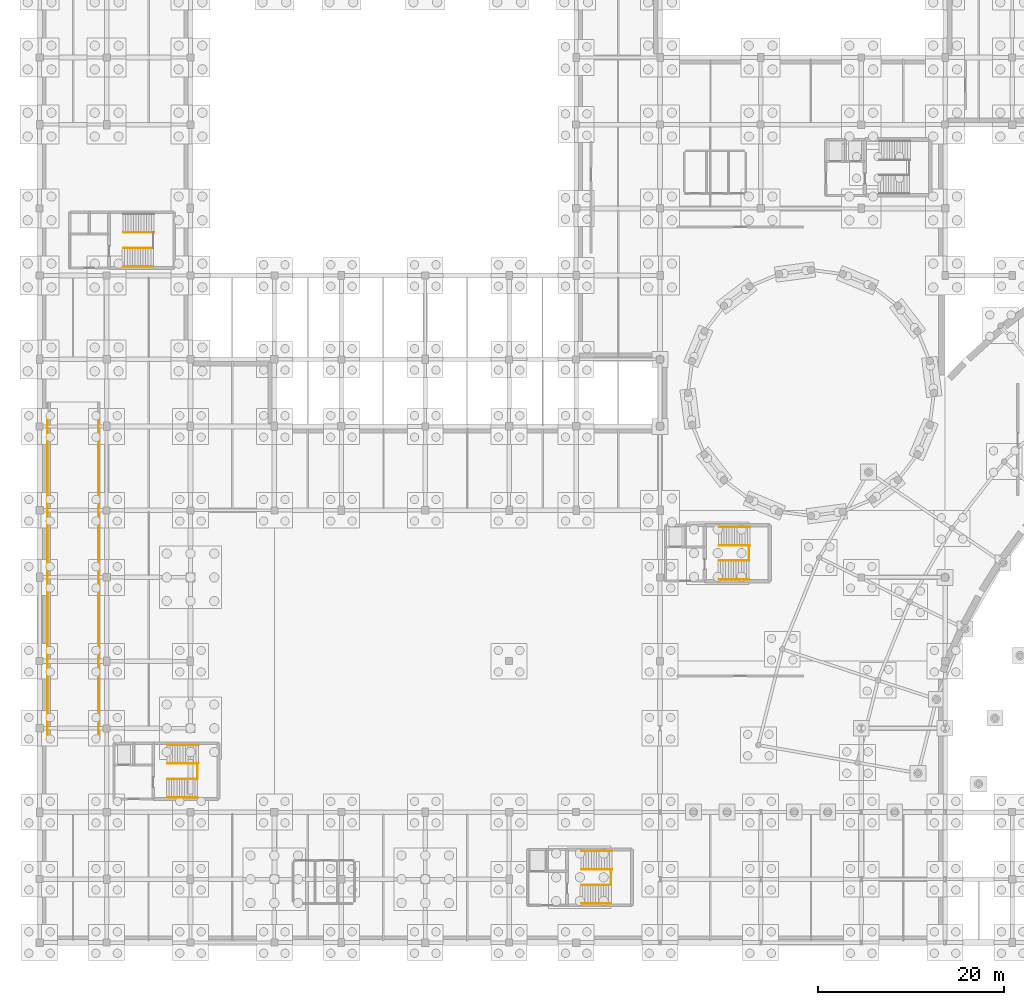
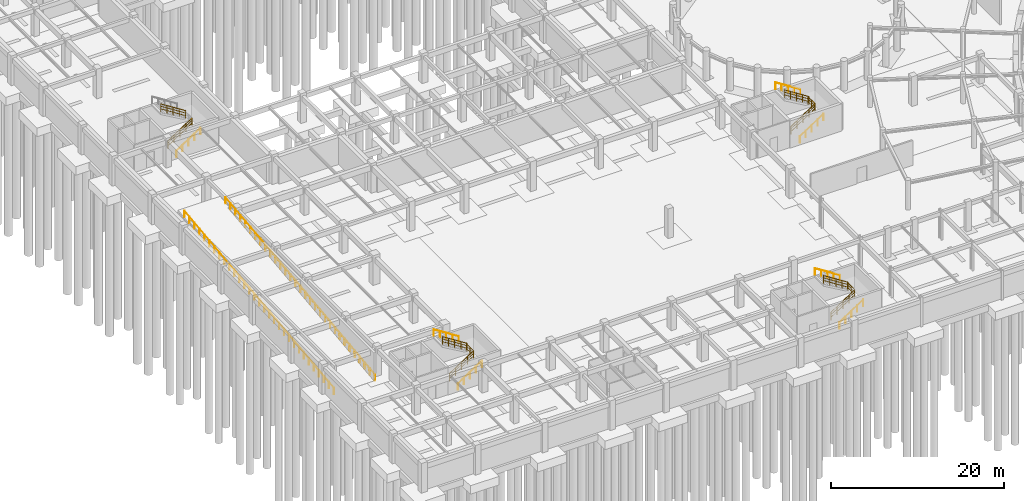
# One storey, part 39 of 42: 20 railings.
"""IFC4 building model written with IfcOpenShell, lengths in metres."""

import ifcopenshell
import ifcopenshell.guid

model = None  # the IFC model being written
_history = None  # IfcOwnerHistory: only IFC2X3 demands one
_inside = {}  # id of a spatial element -> (the spatial element, [elements in it])
_under = {}  # id of a project, library or spatial element -> (it, [spatial elements below it])
_declared = {}  # id of a project -> (the project, [libraries it declares])
_typed = {}  # id of a type object -> (the type object, [elements of that type])
_made_of = {}  # id of a material, layer set ... -> (it, [elements and type objects made of it])


def new_model(schema):
    """Start an empty IFC model of exactly this schema.

    Asked for "IFC4X3", IfcOpenShell would pick the latest addendum, in which some entities
    have other attributes; the version numbers below select the first issue.
    IFC2X3 requires an IfcOwnerHistory on every rooted entity: one is made here for all.
    """
    global model, _history
    if schema == "IFC4X3":
        model = ifcopenshell.file(schema_version=(4, 3, 0, 0))
    else:
        model = ifcopenshell.file(schema=schema)
    _inside.clear()
    _under.clear()
    _declared.clear()
    _typed.clear()
    _made_of.clear()
    _history = None
    if model.schema == "IFC2X3":
        org = make("IfcOrganization", Name="unknown")
        user = make(
            "IfcPersonAndOrganization",
            ThePerson=make("IfcPerson", FamilyName="unknown"),
            TheOrganization=org,
        )
        app = make(
            "IfcApplication",
            ApplicationDeveloper=org,
            Version="unknown",
            ApplicationFullName="unknown",
            ApplicationIdentifier="unknown",
        )
        _history = make(
            "IfcOwnerHistory",
            OwningUser=user,
            OwningApplication=app,
            ChangeAction="ADDED",
            CreationDate=0,
        )
    return model


def make(cls, **values):
    """One entity of the class cls with the attributes given. An attribute that is None is left unset."""
    return model.create_entity(
        cls, **{name: value for name, value in values.items() if value is not None}
    )


def rooted(cls, **values):
    """An entity with a GlobalId (a new one), such as an element, a storey or a relation."""
    return make(cls, GlobalId=ifcopenshell.guid.new(), OwnerHistory=_history, **values)


def si_unit(unit_type, name, prefix=None):
    """IfcSIUnit, for example si_unit("LENGTHUNIT", "METRE", prefix="MILLI")."""
    return make("IfcSIUnit", UnitType=unit_type, Prefix=prefix, Name=name)


def assignment(units):
    """IfcUnitAssignment: the units of a project."""
    return None if units is None else make("IfcUnitAssignment", Units=units)


def point(xyz):
    """IfcCartesianPoint."""
    return None if xyz is None else make("IfcCartesianPoint", Coordinates=xyz)


def direction(xyz):
    """IfcDirection."""
    return None if xyz is None else make("IfcDirection", DirectionRatios=xyz)


def frame(location, z_axis=None, x_axis=None):
    """IfcAxis2Placement3D, a coordinate frame: its origin and axes. An axis left out is left unset."""
    return make(
        "IfcAxis2Placement3D",
        Location=point(location),
        Axis=direction(z_axis),
        RefDirection=direction(x_axis),
    )


def frame_2d(location, x_axis=None):
    """IfcAxis2Placement2D, a coordinate frame in the plane: its origin and x axis."""
    return make(
        "IfcAxis2Placement2D", Location=point(location), RefDirection=direction(x_axis)
    )


def origin():
    """The frame at (0, 0, 0) with its axes left unset."""
    return frame((0.0, 0.0, 0.0))


def origin_2d():
    """The frame at (0, 0) in the plane with its x axis left unset."""
    return frame_2d((0.0, 0.0))


def place(relative_to, where):
    """IfcLocalPlacement: puts the frame where relative to a parent placement (None: the world)."""
    return make(
        "IfcLocalPlacement", PlacementRelTo=relative_to, RelativePlacement=where
    )


def context(
    kind, dimensions, precision=None, world=None, true_north=None, identifier=None
):
    """IfcGeometricRepresentationContext, for example the 3D "Model" context."""
    return make(
        "IfcGeometricRepresentationContext",
        ContextIdentifier=identifier,
        ContextType=kind,
        CoordinateSpaceDimension=dimensions,
        Precision=precision,
        WorldCoordinateSystem=world,
        TrueNorth=true_north,
    )


def subcontext(parent, identifier, kind, view, scale=None):
    """IfcGeometricRepresentationSubContext, for example "Body" below "Model"."""
    return make(
        "IfcGeometricRepresentationSubContext",
        ContextIdentifier=identifier,
        ContextType=kind,
        ParentContext=parent,
        TargetScale=scale,
        TargetView=view,
    )


def project(units=None, contexts=None):
    """IfcProject with its units and contexts."""
    return rooted(
        "IfcProject",
        Name="project",
        RepresentationContexts=contexts,
        UnitsInContext=assignment(units),
    )


def spatial(cls, under=None, at=None, **own):
    """A site, building, storey or space (cls), placed at a placement, below another one or the project."""
    s = rooted(cls, ObjectPlacement=at, **own)
    if under is not None:
        _under.setdefault(under.id(), (under, []))[1].append(s)
    return s


def profile(cls, at=None, kind="AREA", **sizes):
    """A parametric profile (cls). Its sizes go by their IFC names, for example OverallWidth=200.0."""
    return make(cls, ProfileType=kind, Position=at, **sizes)


def circle(**sizes):
    """IfcCircleProfileDef."""
    return profile("IfcCircleProfileDef", **sizes)


def extrude(swept, where, along, depth):
    """IfcExtrudedAreaSolid: the profile swept, set in the frame where, extruded along a direction by depth."""
    return make(
        "IfcExtrudedAreaSolid",
        SweptArea=swept,
        Position=where,
        ExtrudedDirection=direction(along),
        Depth=depth,
    )


def shape(context_of_items, identifier, shape_type, items):
    """IfcShapeRepresentation: the items that make up one representation, for example the "Body"."""
    return make(
        "IfcShapeRepresentation",
        ContextOfItems=context_of_items,
        RepresentationIdentifier=identifier,
        RepresentationType=shape_type,
        Items=items,
    )


def material(Name=None, Category=None):
    """IfcMaterial."""
    return make("IfcMaterial", Name=Name, Category=Category)


def made_of(thing, what):
    """Note that an element or type object is made of a material, layer set ...; save() writes the relation."""
    if what is not None:
        _made_of.setdefault(what.id(), (what, []))[1].append(thing)
    return thing


def type_object(cls, material=None, **own):
    """A type object (cls), such as IfcWallType, which elements share."""
    return made_of(rooted(cls, **own), material)


def element(
    cls,
    number,
    at=None,
    inside=None,
    cuts=None,
    type_object=None,
    material=None,
    context=None,
    identifier="Body",
    shape_type=None,
    held_by="IfcProductDefinitionShape",
    body=None,
    shapes=None,
    **own,
):
    """One element of the class cls, such as IfcWall. Its Tag is "e" and its number.

    at: its placement. inside: the storey or other place that contains it. cuts: it is an
    opening in that element (IfcRelVoidsElement). A single representation is given by context,
    identifier, shape_type and body (its items); several are given by shapes. held_by: the class
    of the entity that holds the representations. save() writes the other relations.
    """
    e = rooted(cls, Tag="e%d" % number, ObjectPlacement=at, **own)
    if body is not None:
        shapes = [shape(context, identifier, shape_type, body)]
    if shapes is not None:
        e.Representation = make(held_by, Representations=shapes)
    if inside is not None:
        _inside.setdefault(inside.id(), (inside, []))[1].append(e)
    if cuts is not None:
        rooted(
            "IfcRelVoidsElement", RelatingBuildingElement=cuts, RelatedOpeningElement=e
        )
    if type_object is not None:
        _typed.setdefault(type_object.id(), (type_object, []))[1].append(e)
    return made_of(e, material)


def aggregate(whole, parts):
    """IfcRelAggregates: a whole, such as a stair, and the parts it consists of."""
    return rooted("IfcRelAggregates", RelatingObject=whole, RelatedObjects=parts)


def save(model, path):
    """Write the relations noted so far, then the file.

    IfcRelAggregates (storeys below a building ...), IfcRelContainedInSpatialStructure (elements
    in a storey), IfcRelDefinesByType, IfcRelAssociatesMaterial and IfcRelDeclares: one each for
    every whole, place, type object, material and project.
    """
    for whole, parts in _under.values():
        aggregate(whole, parts)
    for where, things in _inside.values():
        rooted(
            "IfcRelContainedInSpatialStructure",
            RelatedElements=things,
            RelatingStructure=where,
        )
    for kind, things in _typed.values():
        rooted("IfcRelDefinesByType", RelatedObjects=things, RelatingType=kind)
    for what, things in _made_of.values():
        rooted("IfcRelAssociatesMaterial", RelatedObjects=things, RelatingMaterial=what)
    for by, libraries in _declared.values():
        rooted("IfcRelDeclares", RelatingContext=by, RelatedDefinitions=libraries)
    model.write(path)


model = new_model("IFC4")

# Units and contexts
model_context = context("Model", 3, precision=1e-05, world=origin(), true_north=direction((0.0, 1.0)))
body_context = subcontext(model_context, "Body", "Model", "MODEL_VIEW")
ifc_project = project(units=[si_unit("LENGTHUNIT", "METRE"), si_unit("AREAUNIT", "SQUARE_METRE"), si_unit("VOLUMEUNIT", "CUBIC_METRE"), si_unit("PLANEANGLEUNIT", "RADIAN"), si_unit("MASSUNIT", "GRAM", prefix="KILO")], contexts=[model_context])

# Site, building, storey
site_placement = place(None, origin())
site = spatial("IfcSite", under=ifc_project, at=site_placement, CompositionType="ELEMENT")
building_placement = place(site_placement, origin())
building = spatial("IfcBuilding", under=site, at=building_placement, Name="Clarverna Civic Hall", CompositionType="ELEMENT")
storey_placement = place(building_placement, frame((0.0, 0.0, -4.199951171875)))
storey = spatial("IfcBuildingStorey", under=building, at=storey_placement, Name="B01", CompositionType="ELEMENT", Elevation=-4.199951171875)

# Railings
ifc_material_1 = material(Name="Anodised Bronze Architectural Balustrade")
railing_type_1 = type_object("IfcRailingType", Name="GR-02", PredefinedType="BALUSTRADE", material=ifc_material_1)
railing_1_placement = place(storey_placement, frame((72.949951171875, 41.0, 0.0)))
element("IfcRailing", 1, at=railing_1_placement, inside=storey, type_object=railing_type_1, Name="GR-02-088", PredefinedType="BALUSTRADE", context=body_context, shape_type="SweptSolid", body=[
    extrude(circle(Radius=0.02392578125, at=origin_2d()), frame((0.0, 0.0, 1.09619140625), z_axis=(0.836464151043, 0.0, 0.548021645576), x_axis=(0.0, 1.0, 0.0)), (0.0, 0.0, 1.0), 3.831787109375),
    extrude(circle(Radius=0.011962890625, at=origin_2d()), frame((0.0, 0.0, 0.39208984375), z_axis=(0.836464151043, 0.0, 0.548021645576), x_axis=(0.0, 1.0, 0.0)), (0.0, 0.0, 1.0), 3.831787109375),
    extrude(circle(Radius=0.011962890625, at=origin_2d()), frame((0.0, 0.0, 0.76171875), z_axis=(0.836464151043, 0.0, 0.548021645576), x_axis=(0.0, 1.0, 0.0)), (0.0, 0.0, 1.0), 3.831787109375),
    extrude(circle(Radius=0.02099609375, at=origin_2d()), origin(), (0.0, 0.0, 1.0), 1.072021484375),
    extrude(circle(Radius=0.02099609375, at=origin_2d()), frame((0.80126953125, 0.0, 0.52490234375)), (0.0, 0.0, 1.0), 1.072021484375),
    extrude(circle(Radius=0.02099609375, at=origin_2d()), frame((1.6025390625, 0.0, 1.0498046875)), (0.0, 0.0, 1.0), 1.072021484375),
    extrude(circle(Radius=0.02099609375, at=origin_2d()), frame((2.40380859375, 0.0, 1.574951171875)), (0.0, 0.0, 1.0), 1.072021484375),
    extrude(circle(Radius=0.02099609375, at=origin_2d()), frame((3.205078125, 0.0, 2.099853515625)), (0.0, 0.0, 1.0), 1.072021484375),
])
railing_2_placement = place(storey_placement, frame((76.155029296875, 41.0, 2.099853515625)))
element("IfcRailing", 2, at=railing_2_placement, inside=storey, type_object=railing_type_1, Name="GR-02-089", PredefinedType="BALUSTRADE", context=body_context, shape_type="SweptSolid", body=[
    extrude(circle(Radius=0.02392578125, at=origin_2d()), frame((0.0, 0.0, 1.09619140625), z_axis=(0.0, 1.0, 0.0), x_axis=(-1.0, 0.0, 0.0)), (0.0, 0.0, 1.0), 1.60009765625),
    extrude(circle(Radius=0.011962890625, at=origin_2d()), frame((0.0, 0.0, 0.39208984375), z_axis=(0.0, 1.0, 0.0), x_axis=(-1.0, 0.0, 0.0)), (0.0, 0.0, 1.0), 1.60009765625),
    extrude(circle(Radius=0.011962890625, at=origin_2d()), frame((0.0, 0.0, 0.76171875), z_axis=(0.0, 1.0, 0.0), x_axis=(-1.0, 0.0, 0.0)), (0.0, 0.0, 1.0), 1.60009765625),
    extrude(circle(Radius=0.02099609375, at=origin_2d()), origin(), (0.0, 0.0, 1.0), 1.072021484375),
    extrude(circle(Radius=0.02099609375, at=origin_2d()), frame((0.0, 0.800048828125, 0.0)), (0.0, 0.0, 1.0), 1.072021484375),
    extrude(circle(Radius=0.02099609375, at=origin_2d()), frame((0.0, 1.60009765625, 0.0)), (0.0, 0.0, 1.0), 1.072021484375),
])
railing_3_placement = place(storey_placement, frame((76.2451171875, 42.60009765625, 2.099853515625)))
element("IfcRailing", 3, at=railing_3_placement, inside=storey, type_object=railing_type_1, Name="GR-02-090", PredefinedType="BALUSTRADE", context=body_context, shape_type="SweptSolid", body=[
    extrude(circle(Radius=0.02392578125, at=origin_2d()), frame((0.0, 0.0, 1.09619140625), z_axis=(-0.843293392346, 0.0, 0.537453490477), x_axis=(0.0, -1.0, 0.0)), (0.0, 0.0, 1.0), 3.907470703125),
    extrude(circle(Radius=0.011962890625, at=origin_2d()), frame((0.0, 0.0, 0.39208984375), z_axis=(-0.843293392346, 0.0, 0.537453490477), x_axis=(0.0, -1.0, 0.0)), (0.0, 0.0, 1.0), 3.907470703125),
    extrude(circle(Radius=0.011962890625, at=origin_2d()), frame((0.0, 0.0, 0.76171875), z_axis=(-0.843293392346, 0.0, 0.537453490477), x_axis=(0.0, -1.0, 0.0)), (0.0, 0.0, 1.0), 3.907470703125),
    extrude(circle(Radius=0.02099609375, at=origin_2d()), origin(), (0.0, 0.0, 1.0), 1.072021484375),
    extrude(circle(Radius=0.02099609375, at=origin_2d()), frame((-0.82373046875, 0.0, 0.52490234375)), (0.0, 0.0, 1.0), 1.072021484375),
    extrude(circle(Radius=0.02099609375, at=origin_2d()), frame((-1.6474609375, 0.0, 1.050048828125)), (0.0, 0.0, 1.0), 1.072021484375),
    extrude(circle(Radius=0.02099609375, at=origin_2d()), frame((-2.471435546875, 0.0, 1.5751953125)), (0.0, 0.0, 1.0), 1.072021484375),
    extrude(circle(Radius=0.02099609375, at=origin_2d()), frame((-3.295166015625, 0.0, 2.10009765625)), (0.0, 0.0, 1.0), 1.072021484375),
])
railing_4_placement = place(storey_placement, frame((58.14990234375, 6.159912109375, 0.0)))
element("IfcRailing", 4, at=railing_4_placement, inside=storey, type_object=railing_type_1, Name="GR-02-120", PredefinedType="BALUSTRADE", context=body_context, shape_type="SweptSolid", body=[
    extrude(circle(Radius=0.02392578125, at=origin_2d()), frame((0.0, 0.0, 1.09619140625), z_axis=(0.836464151043, 0.0, 0.548021645576), x_axis=(0.0, 1.0, 0.0)), (0.0, 0.0, 1.0), 3.831787109375),
    extrude(circle(Radius=0.011962890625, at=origin_2d()), frame((0.0, 0.0, 0.39208984375), z_axis=(0.836464151043, 0.0, 0.548021645576), x_axis=(0.0, 1.0, 0.0)), (0.0, 0.0, 1.0), 3.831787109375),
    extrude(circle(Radius=0.011962890625, at=origin_2d()), frame((0.0, 0.0, 0.76171875), z_axis=(0.836464151043, 0.0, 0.548021645576), x_axis=(0.0, 1.0, 0.0)), (0.0, 0.0, 1.0), 3.831787109375),
    extrude(circle(Radius=0.02099609375, at=origin_2d()), origin(), (0.0, 0.0, 1.0), 1.072021484375),
    extrude(circle(Radius=0.02099609375, at=origin_2d()), frame((0.80126953125, 0.0, 0.52490234375)), (0.0, 0.0, 1.0), 1.072021484375),
    extrude(circle(Radius=0.02099609375, at=origin_2d()), frame((1.6025390625, 0.0, 1.0498046875)), (0.0, 0.0, 1.0), 1.072021484375),
    extrude(circle(Radius=0.02099609375, at=origin_2d()), frame((2.40380859375, 0.0, 1.574951171875)), (0.0, 0.0, 1.0), 1.072021484375),
    extrude(circle(Radius=0.02099609375, at=origin_2d()), frame((3.205078125, 0.0, 2.099853515625)), (0.0, 0.0, 1.0), 1.072021484375),
])
railing_5_placement = place(storey_placement, frame((61.35498046875, 6.159912109375, 2.099853515625)))
element("IfcRailing", 5, at=railing_5_placement, inside=storey, type_object=railing_type_1, Name="GR-02-121", PredefinedType="BALUSTRADE", context=body_context, shape_type="SweptSolid", body=[
    extrude(circle(Radius=0.02392578125, at=origin_2d()), frame((0.0, 0.0, 1.09619140625), z_axis=(0.0, 1.0, 0.0), x_axis=(-1.0, 0.0, 0.0)), (0.0, 0.0, 1.0), 1.68017578125),
    extrude(circle(Radius=0.011962890625, at=origin_2d()), frame((0.0, 0.0, 0.39208984375), z_axis=(0.0, 1.0, 0.0), x_axis=(-1.0, 0.0, 0.0)), (0.0, 0.0, 1.0), 1.68017578125),
    extrude(circle(Radius=0.011962890625, at=origin_2d()), frame((0.0, 0.0, 0.76171875), z_axis=(0.0, 1.0, 0.0), x_axis=(-1.0, 0.0, 0.0)), (0.0, 0.0, 1.0), 1.68017578125),
    extrude(circle(Radius=0.02099609375, at=origin_2d()), origin(), (0.0, 0.0, 1.0), 1.072021484375),
    extrude(circle(Radius=0.02099609375, at=origin_2d()), frame((0.0, 0.840087890625, 0.0)), (0.0, 0.0, 1.0), 1.072021484375),
    extrude(circle(Radius=0.02099609375, at=origin_2d()), frame((0.0, 1.68017578125, 0.0)), (0.0, 0.0, 1.0), 1.072021484375),
])
railing_6_placement = place(storey_placement, frame((61.445068359375, 7.840087890625, 2.099853515625)))
element("IfcRailing", 6, at=railing_6_placement, inside=storey, type_object=railing_type_1, Name="GR-02-122", PredefinedType="BALUSTRADE", context=body_context, shape_type="SweptSolid", body=[
    extrude(circle(Radius=0.02392578125, at=origin_2d()), frame((0.0, 0.0, 1.09619140625), z_axis=(-0.843293392346, 0.0, 0.537453490477), x_axis=(0.0, -1.0, 0.0)), (0.0, 0.0, 1.0), 3.907470703125),
    extrude(circle(Radius=0.011962890625, at=origin_2d()), frame((0.0, 0.0, 0.39208984375), z_axis=(-0.843293392346, 0.0, 0.537453490477), x_axis=(0.0, -1.0, 0.0)), (0.0, 0.0, 1.0), 3.907470703125),
    extrude(circle(Radius=0.011962890625, at=origin_2d()), frame((0.0, 0.0, 0.76171875), z_axis=(-0.843293392346, 0.0, 0.537453490477), x_axis=(0.0, -1.0, 0.0)), (0.0, 0.0, 1.0), 3.907470703125),
    extrude(circle(Radius=0.02099609375, at=origin_2d()), origin(), (0.0, 0.0, 1.0), 1.072021484375),
    extrude(circle(Radius=0.02099609375, at=origin_2d()), frame((-0.82373046875, 0.0, 0.52490234375)), (0.0, 0.0, 1.0), 1.072021484375),
    extrude(circle(Radius=0.02099609375, at=origin_2d()), frame((-1.6474609375, 0.0, 1.050048828125)), (0.0, 0.0, 1.0), 1.072021484375),
    extrude(circle(Radius=0.02099609375, at=origin_2d()), frame((-2.471435546875, 0.0, 1.5751953125)), (0.0, 0.0, 1.0), 1.072021484375),
    extrude(circle(Radius=0.02099609375, at=origin_2d()), frame((-3.295166015625, 0.0, 2.10009765625)), (0.0, 0.0, 1.0), 1.072021484375),
])
railing_7_placement = place(storey_placement, frame((13.75, 17.56005859375, 0.0)))
element("IfcRailing", 7, at=railing_7_placement, inside=storey, type_object=railing_type_1, Name="GR-02-136", PredefinedType="BALUSTRADE", context=body_context, shape_type="SweptSolid", body=[
    extrude(circle(Radius=0.02392578125, at=origin_2d()), frame((0.0, 0.0, 1.09619140625), z_axis=(0.836464151043, 0.0, 0.548021645576), x_axis=(0.0, 1.0, 0.0)), (0.0, 0.0, 1.0), 3.831787109375),
    extrude(circle(Radius=0.011962890625, at=origin_2d()), frame((0.0, 0.0, 0.39208984375), z_axis=(0.836464151043, 0.0, 0.548021645576), x_axis=(0.0, 1.0, 0.0)), (0.0, 0.0, 1.0), 3.831787109375),
    extrude(circle(Radius=0.011962890625, at=origin_2d()), frame((0.0, 0.0, 0.76171875), z_axis=(0.836464151043, 0.0, 0.548021645576), x_axis=(0.0, 1.0, 0.0)), (0.0, 0.0, 1.0), 3.831787109375),
    extrude(circle(Radius=0.02099609375, at=origin_2d()), origin(), (0.0, 0.0, 1.0), 1.072021484375),
    extrude(circle(Radius=0.02099609375, at=origin_2d()), frame((0.80126953125, 0.0, 0.52490234375)), (0.0, 0.0, 1.0), 1.072021484375),
    extrude(circle(Radius=0.02099609375, at=origin_2d()), frame((1.6025390625, 0.0, 1.0498046875)), (0.0, 0.0, 1.0), 1.072021484375),
    extrude(circle(Radius=0.02099609375, at=origin_2d()), frame((2.40380859375, 0.0, 1.574951171875)), (0.0, 0.0, 1.0), 1.072021484375),
    extrude(circle(Radius=0.02099609375, at=origin_2d()), frame((3.205078125, 0.0, 2.099853515625)), (0.0, 0.0, 1.0), 1.072021484375),
])
railing_8_placement = place(storey_placement, frame((16.955078125, 17.56005859375, 2.099853515625)))
element("IfcRailing", 8, at=railing_8_placement, inside=storey, type_object=railing_type_1, Name="GR-02-137", PredefinedType="BALUSTRADE", context=body_context, shape_type="SweptSolid", body=[
    extrude(circle(Radius=0.02392578125, at=origin_2d()), frame((0.0, 0.0, 1.09619140625), z_axis=(0.0, 1.0, 0.0), x_axis=(-1.0, 0.0, 0.0)), (0.0, 0.0, 1.0), 1.679931640625),
    extrude(circle(Radius=0.011962890625, at=origin_2d()), frame((0.0, 0.0, 0.39208984375), z_axis=(0.0, 1.0, 0.0), x_axis=(-1.0, 0.0, 0.0)), (0.0, 0.0, 1.0), 1.679931640625),
    extrude(circle(Radius=0.011962890625, at=origin_2d()), frame((0.0, 0.0, 0.76171875), z_axis=(0.0, 1.0, 0.0), x_axis=(-1.0, 0.0, 0.0)), (0.0, 0.0, 1.0), 1.679931640625),
    extrude(circle(Radius=0.02099609375, at=origin_2d()), origin(), (0.0, 0.0, 1.0), 1.072021484375),
    extrude(circle(Radius=0.02099609375, at=origin_2d()), frame((0.0, 0.83984375, 0.0)), (0.0, 0.0, 1.0), 1.072021484375),
    extrude(circle(Radius=0.02099609375, at=origin_2d()), frame((0.0, 1.679931640625, 0.0)), (0.0, 0.0, 1.0), 1.072021484375),
])
railing_9_placement = place(storey_placement, frame((17.044921875, 19.239990234375, 2.099853515625)))
element("IfcRailing", 9, at=railing_9_placement, inside=storey, type_object=railing_type_1, Name="GR-02-138", PredefinedType="BALUSTRADE", context=body_context, shape_type="SweptSolid", body=[
    extrude(circle(Radius=0.02392578125, at=origin_2d()), frame((0.0, 0.0, 1.09619140625), z_axis=(-0.843275343163, 0.0, 0.537481809565), x_axis=(0.0, -1.0, 0.0)), (0.0, 0.0, 1.0), 3.9072265625),
    extrude(circle(Radius=0.011962890625, at=origin_2d()), frame((0.0, 0.0, 0.39208984375), z_axis=(-0.843275343163, 0.0, 0.537481809565), x_axis=(0.0, -1.0, 0.0)), (0.0, 0.0, 1.0), 3.9072265625),
    extrude(circle(Radius=0.011962890625, at=origin_2d()), frame((0.0, 0.0, 0.76171875), z_axis=(-0.843275343163, 0.0, 0.537481809565), x_axis=(0.0, -1.0, 0.0)), (0.0, 0.0, 1.0), 3.9072265625),
    extrude(circle(Radius=0.02099609375, at=origin_2d()), origin(), (0.0, 0.0, 1.0), 1.072021484375),
    extrude(circle(Radius=0.02099609375, at=origin_2d()), frame((-0.82373046875, 0.0, 0.52490234375)), (0.0, 0.0, 1.0), 1.072021484375),
    extrude(circle(Radius=0.02099609375, at=origin_2d()), frame((-1.6474609375, 0.0, 1.050048828125)), (0.0, 0.0, 1.0), 1.072021484375),
    extrude(circle(Radius=0.02099609375, at=origin_2d()), frame((-2.47119140625, 0.0, 1.5751953125)), (0.0, 0.0, 1.0), 1.072021484375),
    extrude(circle(Radius=0.02099609375, at=origin_2d()), frame((-3.294921875, 0.0, 2.10009765625)), (0.0, 0.0, 1.0), 1.072021484375),
])
railing_10_placement = place(storey_placement, frame((9.0, 74.56005859375, 0.0)))
element("IfcRailing", 10, at=railing_10_placement, inside=storey, type_object=railing_type_1, Name="GR-02-196", PredefinedType="BALUSTRADE", context=body_context, shape_type="SweptSolid", body=[
    extrude(circle(Radius=0.02392578125, at=origin_2d()), frame((0.0, 0.0, 1.09619140625), z_axis=(0.836464151043, 0.0, 0.548021645576), x_axis=(0.0, 1.0, 0.0)), (0.0, 0.0, 1.0), 3.831787109375),
    extrude(circle(Radius=0.011962890625, at=origin_2d()), frame((0.0, 0.0, 0.39208984375), z_axis=(0.836464151043, 0.0, 0.548021645576), x_axis=(0.0, 1.0, 0.0)), (0.0, 0.0, 1.0), 3.831787109375),
    extrude(circle(Radius=0.011962890625, at=origin_2d()), frame((0.0, 0.0, 0.76171875), z_axis=(0.836464151043, 0.0, 0.548021645576), x_axis=(0.0, 1.0, 0.0)), (0.0, 0.0, 1.0), 3.831787109375),
    extrude(circle(Radius=0.02099609375, at=origin_2d()), origin(), (0.0, 0.0, 1.0), 1.072021484375),
    extrude(circle(Radius=0.02099609375, at=origin_2d()), frame((0.80126953125, 0.0, 0.52490234375)), (0.0, 0.0, 1.0), 1.072021484375),
    extrude(circle(Radius=0.02099609375, at=origin_2d()), frame((1.6025390625, 0.0, 1.0498046875)), (0.0, 0.0, 1.0), 1.072021484375),
    extrude(circle(Radius=0.02099609375, at=origin_2d()), frame((2.40380859375, 0.0, 1.574951171875)), (0.0, 0.0, 1.0), 1.072021484375),
    extrude(circle(Radius=0.02099609375, at=origin_2d()), frame((3.205078125, 0.0, 2.099853515625)), (0.0, 0.0, 1.0), 1.072021484375),
])
railing_11_placement = place(storey_placement, frame((12.294921875, 76.239990234375, 2.099853515625)))
element("IfcRailing", 11, at=railing_11_placement, inside=storey, type_object=railing_type_1, Name="GR-02-198", PredefinedType="BALUSTRADE", context=body_context, shape_type="SweptSolid", body=[
    extrude(circle(Radius=0.02392578125, at=origin_2d()), frame((0.0, 0.0, 1.09619140625), z_axis=(-0.843275343163, 0.0, 0.537481809565), x_axis=(0.0, -1.0, 0.0)), (0.0, 0.0, 1.0), 3.9072265625),
    extrude(circle(Radius=0.011962890625, at=origin_2d()), frame((0.0, 0.0, 0.39208984375), z_axis=(-0.843275343163, 0.0, 0.537481809565), x_axis=(0.0, -1.0, 0.0)), (0.0, 0.0, 1.0), 3.9072265625),
    extrude(circle(Radius=0.011962890625, at=origin_2d()), frame((0.0, 0.0, 0.76171875), z_axis=(-0.843275343163, 0.0, 0.537481809565), x_axis=(0.0, -1.0, 0.0)), (0.0, 0.0, 1.0), 3.9072265625),
    extrude(circle(Radius=0.02099609375, at=origin_2d()), origin(), (0.0, 0.0, 1.0), 1.072021484375),
    extrude(circle(Radius=0.02099609375, at=origin_2d()), frame((-0.82373046875, 0.0, 0.52490234375)), (0.0, 0.0, 1.0), 1.072021484375),
    extrude(circle(Radius=0.02099609375, at=origin_2d()), frame((-1.6474609375, 0.0, 1.050048828125)), (0.0, 0.0, 1.0), 1.072021484375),
    extrude(circle(Radius=0.02099609375, at=origin_2d()), frame((-2.47119140625, 0.0, 1.5751953125)), (0.0, 0.0, 1.0), 1.072021484375),
    extrude(circle(Radius=0.02099609375, at=origin_2d()), frame((-3.294921875, 0.0, 2.10009765625)), (0.0, 0.0, 1.0), 1.072021484375),
])
ifc_material_2 = material(Name="Anodised Bronze Continuous Handrail")
railing_type_2 = type_object("IfcRailingType", Name="HR-01", PredefinedType="HANDRAIL", material=ifc_material_2)
railing_12_placement = place(storey_placement, frame((72.949951171875, 38.97998046875, 0.0)))
element("IfcRailing", 12, at=railing_12_placement, inside=storey, type_object=railing_type_2, Name="HR-01-043", PredefinedType="HANDRAIL", context=body_context, shape_type="SweptSolid", body=[
    extrude(circle(Radius=0.02392578125, at=origin_2d()), frame((0.0, 0.0, 0.89599609375), z_axis=(0.835271834381, 0.0, 0.549837214719), x_axis=(0.0, 1.0, 0.0)), (0.0, 0.0, 1.0), 3.819091796875),
    extrude(circle(Radius=0.02099609375, at=origin_2d()), origin(), (0.0, 0.0, 1.0), 0.871826171875),
    extrude(circle(Radius=0.02099609375, at=origin_2d()), frame((0.79736328125, 0.0, 0.52490234375)), (0.0, 0.0, 1.0), 0.871826171875),
    extrude(circle(Radius=0.02099609375, at=origin_2d()), frame((1.594970703125, 0.0, 1.0498046875)), (0.0, 0.0, 1.0), 0.871826171875),
    extrude(circle(Radius=0.02099609375, at=origin_2d()), frame((2.392578125, 0.0, 1.574951171875)), (0.0, 0.0, 1.0), 0.871826171875),
    extrude(circle(Radius=0.02099609375, at=origin_2d()), frame((3.18994140625, 0.0, 2.099853515625)), (0.0, 0.0, 1.0), 0.871826171875),
])
railing_13_placement = place(storey_placement, frame((76.260009765625, 44.6201171875, 2.099853515625)))
element("IfcRailing", 13, at=railing_13_placement, inside=storey, type_object=railing_type_2, Name="HR-01-044", PredefinedType="HANDRAIL", context=body_context, shape_type="SweptSolid", body=[
    extrude(circle(Radius=0.02392578125, at=origin_2d()), frame((0.0, 0.0, 0.89599609375), z_axis=(-0.844389018317, 0.0, 0.535730515973), x_axis=(0.0, -1.0, 0.0)), (0.0, 0.0, 1.0), 3.920166015625),
    extrude(circle(Radius=0.02099609375, at=origin_2d()), origin(), (0.0, 0.0, 1.0), 0.871826171875),
    extrude(circle(Radius=0.02099609375, at=origin_2d()), frame((-0.82763671875, 0.0, 0.52490234375)), (0.0, 0.0, 1.0), 0.871826171875),
    extrude(circle(Radius=0.02099609375, at=origin_2d()), frame((-1.655029296875, 0.0, 1.050048828125)), (0.0, 0.0, 1.0), 0.871826171875),
    extrude(circle(Radius=0.02099609375, at=origin_2d()), frame((-2.482421875, 0.0, 1.5751953125)), (0.0, 0.0, 1.0), 0.871826171875),
    extrude(circle(Radius=0.02099609375, at=origin_2d()), frame((-3.31005859375, 0.0, 2.10009765625)), (0.0, 0.0, 1.0), 0.871826171875),
])
railing_14_placement = place(storey_placement, frame((58.14990234375, 4.179931640625, 0.0)))
element("IfcRailing", 14, at=railing_14_placement, inside=storey, type_object=railing_type_2, Name="HR-01-059", PredefinedType="HANDRAIL", context=body_context, shape_type="SweptSolid", body=[
    extrude(circle(Radius=0.02392578125, at=origin_2d()), frame((0.0, 0.0, 0.89599609375), z_axis=(0.835291159344, 0.0, 0.549807856548), x_axis=(0.0, 1.0, 0.0)), (0.0, 0.0, 1.0), 3.8193359375),
    extrude(circle(Radius=0.02099609375, at=origin_2d()), origin(), (0.0, 0.0, 1.0), 0.871826171875),
    extrude(circle(Radius=0.02099609375, at=origin_2d()), frame((0.797607421875, 0.0, 0.52490234375)), (0.0, 0.0, 1.0), 0.871826171875),
    extrude(circle(Radius=0.02099609375, at=origin_2d()), frame((1.59521484375, 0.0, 1.0498046875)), (0.0, 0.0, 1.0), 0.871826171875),
    extrude(circle(Radius=0.02099609375, at=origin_2d()), frame((2.392578125, 0.0, 1.574951171875)), (0.0, 0.0, 1.0), 0.871826171875),
    extrude(circle(Radius=0.02099609375, at=origin_2d()), frame((3.190185546875, 0.0, 2.099853515625)), (0.0, 0.0, 1.0), 0.871826171875),
])
railing_15_placement = place(storey_placement, frame((61.4599609375, 9.820068359375, 2.099853515625)))
element("IfcRailing", 15, at=railing_15_placement, inside=storey, type_object=railing_type_2, Name="HR-01-060", PredefinedType="HANDRAIL", context=body_context, shape_type="SweptSolid", body=[
    extrude(circle(Radius=0.02392578125, at=origin_2d()), frame((0.0, 0.0, 0.89599609375), z_axis=(-0.844389018317, 0.0, 0.535730515973), x_axis=(0.0, -1.0, 0.0)), (0.0, 0.0, 1.0), 3.920166015625),
    extrude(circle(Radius=0.02099609375, at=origin_2d()), origin(), (0.0, 0.0, 1.0), 0.871826171875),
    extrude(circle(Radius=0.02099609375, at=origin_2d()), frame((-0.82763671875, 0.0, 0.52490234375)), (0.0, 0.0, 1.0), 0.871826171875),
    extrude(circle(Radius=0.02099609375, at=origin_2d()), frame((-1.655029296875, 0.0, 1.050048828125)), (0.0, 0.0, 1.0), 0.871826171875),
    extrude(circle(Radius=0.02099609375, at=origin_2d()), frame((-2.482421875, 0.0, 1.5751953125)), (0.0, 0.0, 1.0), 0.871826171875),
    extrude(circle(Radius=0.02099609375, at=origin_2d()), frame((-3.31005859375, 0.0, 2.10009765625)), (0.0, 0.0, 1.0), 0.871826171875),
])
railing_16_placement = place(storey_placement, frame((13.75, 15.580078125, 0.0)))
element("IfcRailing", 16, at=railing_16_placement, inside=storey, type_object=railing_type_2, Name="HR-01-067", PredefinedType="HANDRAIL", context=body_context, shape_type="SweptSolid", body=[
    extrude(circle(Radius=0.02392578125, at=origin_2d()), frame((0.0, 0.0, 0.89599609375), z_axis=(0.835271834381, 0.0, 0.549837214719), x_axis=(0.0, 1.0, 0.0)), (0.0, 0.0, 1.0), 3.819091796875),
    extrude(circle(Radius=0.02099609375, at=origin_2d()), origin(), (0.0, 0.0, 1.0), 0.871826171875),
    extrude(circle(Radius=0.02099609375, at=origin_2d()), frame((0.79736328125, 0.0, 0.52490234375)), (0.0, 0.0, 1.0), 0.871826171875),
    extrude(circle(Radius=0.02099609375, at=origin_2d()), frame((1.594970703125, 0.0, 1.0498046875)), (0.0, 0.0, 1.0), 0.871826171875),
    extrude(circle(Radius=0.02099609375, at=origin_2d()), frame((2.392578125, 0.0, 1.574951171875)), (0.0, 0.0, 1.0), 0.871826171875),
    extrude(circle(Radius=0.02099609375, at=origin_2d()), frame((3.18994140625, 0.0, 2.099853515625)), (0.0, 0.0, 1.0), 0.871826171875),
])
railing_17_placement = place(storey_placement, frame((17.06005859375, 21.219970703125, 2.099853515625)))
element("IfcRailing", 17, at=railing_17_placement, inside=storey, type_object=railing_type_2, Name="HR-01-068", PredefinedType="HANDRAIL", context=body_context, shape_type="SweptSolid", body=[
    extrude(circle(Radius=0.02392578125, at=origin_2d()), frame((0.0, 0.0, 0.89599609375), z_axis=(-0.844389018317, 0.0, 0.535730515973), x_axis=(0.0, -1.0, 0.0)), (0.0, 0.0, 1.0), 3.920166015625),
    extrude(circle(Radius=0.02099609375, at=origin_2d()), origin(), (0.0, 0.0, 1.0), 0.871826171875),
    extrude(circle(Radius=0.02099609375, at=origin_2d()), frame((-0.82763671875, 0.0, 0.52490234375)), (0.0, 0.0, 1.0), 0.871826171875),
    extrude(circle(Radius=0.02099609375, at=origin_2d()), frame((-1.655029296875, 0.0, 1.050048828125)), (0.0, 0.0, 1.0), 0.871826171875),
    extrude(circle(Radius=0.02099609375, at=origin_2d()), frame((-2.482421875, 0.0, 1.5751953125)), (0.0, 0.0, 1.0), 0.871826171875),
    extrude(circle(Radius=0.02099609375, at=origin_2d()), frame((-3.31005859375, 0.0, 2.10009765625)), (0.0, 0.0, 1.0), 0.871826171875),
])
railing_18_placement = place(storey_placement, frame((9.0, 72.580078125, 0.0)))
element("IfcRailing", 18, at=railing_18_placement, inside=storey, type_object=railing_type_2, Name="HR-01-097", PredefinedType="HANDRAIL", context=body_context, shape_type="SweptSolid", body=[
    extrude(circle(Radius=0.02392578125, at=origin_2d()), frame((0.0, 0.0, 0.89599609375), z_axis=(0.835271834381, 0.0, 0.549837214719), x_axis=(0.0, 1.0, 0.0)), (0.0, 0.0, 1.0), 3.819091796875),
    extrude(circle(Radius=0.02099609375, at=origin_2d()), origin(), (0.0, 0.0, 1.0), 0.871826171875),
    extrude(circle(Radius=0.02099609375, at=origin_2d()), frame((0.79736328125, 0.0, 0.52490234375)), (0.0, 0.0, 1.0), 0.871826171875),
    extrude(circle(Radius=0.02099609375, at=origin_2d()), frame((1.594970703125, 0.0, 1.0498046875)), (0.0, 0.0, 1.0), 0.871826171875),
    extrude(circle(Radius=0.02099609375, at=origin_2d()), frame((2.392578125, 0.0, 1.574951171875)), (0.0, 0.0, 1.0), 0.871826171875),
    extrude(circle(Radius=0.02099609375, at=origin_2d()), frame((3.18994140625, 0.0, 2.099853515625)), (0.0, 0.0, 1.0), 0.871826171875),
])
railing_19_placement = place(storey_placement, frame((0.860107421875, 22.0, 0.0)))
element("IfcRailing", 19, at=railing_19_placement, inside=storey, type_object=railing_type_2, Name="HR-01-105", PredefinedType="HANDRAIL", context=body_context, shape_type="SweptSolid", body=[
    extrude(circle(Radius=0.02392578125, at=origin_2d()), frame((0.0, 0.0, 0.89599609375), z_axis=(0.0, 0.993252029325, 0.115975886463), x_axis=(-1.0, 0.0, 0.0)), (0.0, 0.0, 1.0), 34.835205078125),
    extrude(circle(Radius=0.02099609375, at=origin_2d()), origin(), (0.0, 0.0, 1.0), 0.871826171875),
    extrude(circle(Radius=0.02099609375, at=origin_2d()), frame((0.0, 1.1533203125, 0.134765625)), (0.0, 0.0, 1.0), 0.871826171875),
    extrude(circle(Radius=0.02099609375, at=origin_2d()), frame((0.0, 2.306640625, 0.269287109375)), (0.0, 0.0, 1.0), 0.871826171875),
    extrude(circle(Radius=0.02099609375, at=origin_2d()), frame((0.0, 3.4599609375, 0.404052734375)), (0.0, 0.0, 1.0), 0.871826171875),
    extrude(circle(Radius=0.02099609375, at=origin_2d()), frame((0.0, 4.61328125, 0.53857421875)), (0.0, 0.0, 1.0), 0.871826171875),
    extrude(circle(Radius=0.02099609375, at=origin_2d()), frame((0.0, 5.7666015625, 0.67333984375)), (0.0, 0.0, 1.0), 0.871826171875),
    extrude(circle(Radius=0.02099609375, at=origin_2d()), frame((0.0, 6.919921875, 0.80810546875)), (0.0, 0.0, 1.0), 0.871826171875),
    extrude(circle(Radius=0.02099609375, at=origin_2d()), frame((0.0, 8.0732421875, 0.942626953125)), (0.0, 0.0, 1.0), 0.871826171875),
    extrude(circle(Radius=0.02099609375, at=origin_2d()), frame((0.0, 9.226806640625, 1.077392578125)), (0.0, 0.0, 1.0), 0.871826171875),
    extrude(circle(Radius=0.02099609375, at=origin_2d()), frame((0.0, 10.380126953125, 1.2119140625)), (0.0, 0.0, 1.0), 0.871826171875),
    extrude(circle(Radius=0.02099609375, at=origin_2d()), frame((0.0, 11.533447265625, 1.3466796875)), (0.0, 0.0, 1.0), 0.871826171875),
    extrude(circle(Radius=0.02099609375, at=origin_2d()), frame((0.0, 12.686767578125, 1.4814453125)), (0.0, 0.0, 1.0), 0.871826171875),
    extrude(circle(Radius=0.02099609375, at=origin_2d()), frame((0.0, 13.840087890625, 1.615966796875)), (0.0, 0.0, 1.0), 0.871826171875),
    extrude(circle(Radius=0.02099609375, at=origin_2d()), frame((0.0, 14.993408203125, 1.750732421875)), (0.0, 0.0, 1.0), 0.871826171875),
    extrude(circle(Radius=0.02099609375, at=origin_2d()), frame((0.0, 16.146728515625, 1.88525390625)), (0.0, 0.0, 1.0), 0.871826171875),
    extrude(circle(Radius=0.02099609375, at=origin_2d()), frame((0.0, 17.300048828125, 2.02001953125)), (0.0, 0.0, 1.0), 0.871826171875),
    extrude(circle(Radius=0.02099609375, at=origin_2d()), frame((0.0, 18.453369140625, 2.15478515625)), (0.0, 0.0, 1.0), 0.871826171875),
    extrude(circle(Radius=0.02099609375, at=origin_2d()), frame((0.0, 19.606689453125, 2.289306640625)), (0.0, 0.0, 1.0), 0.871826171875),
    extrude(circle(Radius=0.02099609375, at=origin_2d()), frame((0.0, 20.760009765625, 2.424072265625)), (0.0, 0.0, 1.0), 0.871826171875),
    extrude(circle(Radius=0.02099609375, at=origin_2d()), frame((0.0, 21.913330078125, 2.55859375)), (0.0, 0.0, 1.0), 0.871826171875),
    extrude(circle(Radius=0.02099609375, at=origin_2d()), frame((0.0, 23.066650390625, 2.693359375)), (0.0, 0.0, 1.0), 0.871826171875),
    extrude(circle(Radius=0.02099609375, at=origin_2d()), frame((0.0, 24.219970703125, 2.828125)), (0.0, 0.0, 1.0), 0.871826171875),
    extrude(circle(Radius=0.02099609375, at=origin_2d()), frame((0.0, 25.373291015625, 2.962646484375)), (0.0, 0.0, 1.0), 0.871826171875),
    extrude(circle(Radius=0.02099609375, at=origin_2d()), frame((0.0, 26.52685546875, 3.097412109375)), (0.0, 0.0, 1.0), 0.871826171875),
    extrude(circle(Radius=0.02099609375, at=origin_2d()), frame((0.0, 27.68017578125, 3.23193359375)), (0.0, 0.0, 1.0), 0.871826171875),
    extrude(circle(Radius=0.02099609375, at=origin_2d()), frame((0.0, 28.83349609375, 3.36669921875)), (0.0, 0.0, 1.0), 0.871826171875),
    extrude(circle(Radius=0.02099609375, at=origin_2d()), frame((0.0, 29.98681640625, 3.50146484375)), (0.0, 0.0, 1.0), 0.871826171875),
    extrude(circle(Radius=0.02099609375, at=origin_2d()), frame((0.0, 31.14013671875, 3.635986328125)), (0.0, 0.0, 1.0), 0.871826171875),
    extrude(circle(Radius=0.02099609375, at=origin_2d()), frame((0.0, 32.29345703125, 3.770751953125)), (0.0, 0.0, 1.0), 0.871826171875),
    extrude(circle(Radius=0.02099609375, at=origin_2d()), frame((0.0, 33.44677734375, 3.9052734375)), (0.0, 0.0, 1.0), 0.871826171875),
    extrude(circle(Radius=0.02099609375, at=origin_2d()), frame((0.0, 34.60009765625, 4.0400390625)), (0.0, 0.0, 1.0), 0.871826171875),
])
railing_20_placement = place(storey_placement, frame((6.340087890625, 22.0, 0.0)))
element("IfcRailing", 20, at=railing_20_placement, inside=storey, type_object=railing_type_2, Name="HR-01-106", PredefinedType="HANDRAIL", context=body_context, shape_type="SweptSolid", body=[
    extrude(circle(Radius=0.02392578125, at=origin_2d()), frame((0.0, 0.0, 0.89599609375), z_axis=(0.0, 0.993252029325, 0.115975886463), x_axis=(-1.0, 0.0, 0.0)), (0.0, 0.0, 1.0), 34.835205078125),
    extrude(circle(Radius=0.02099609375, at=origin_2d()), origin(), (0.0, 0.0, 1.0), 0.871826171875),
    extrude(circle(Radius=0.02099609375, at=origin_2d()), frame((0.0, 1.1533203125, 0.134765625)), (0.0, 0.0, 1.0), 0.871826171875),
    extrude(circle(Radius=0.02099609375, at=origin_2d()), frame((0.0, 2.306640625, 0.269287109375)), (0.0, 0.0, 1.0), 0.871826171875),
    extrude(circle(Radius=0.02099609375, at=origin_2d()), frame((0.0, 3.4599609375, 0.404052734375)), (0.0, 0.0, 1.0), 0.871826171875),
    extrude(circle(Radius=0.02099609375, at=origin_2d()), frame((0.0, 4.61328125, 0.53857421875)), (0.0, 0.0, 1.0), 0.871826171875),
    extrude(circle(Radius=0.02099609375, at=origin_2d()), frame((0.0, 5.7666015625, 0.67333984375)), (0.0, 0.0, 1.0), 0.871826171875),
    extrude(circle(Radius=0.02099609375, at=origin_2d()), frame((0.0, 6.919921875, 0.80810546875)), (0.0, 0.0, 1.0), 0.871826171875),
    extrude(circle(Radius=0.02099609375, at=origin_2d()), frame((0.0, 8.0732421875, 0.942626953125)), (0.0, 0.0, 1.0), 0.871826171875),
    extrude(circle(Radius=0.02099609375, at=origin_2d()), frame((0.0, 9.226806640625, 1.077392578125)), (0.0, 0.0, 1.0), 0.871826171875),
    extrude(circle(Radius=0.02099609375, at=origin_2d()), frame((0.0, 10.380126953125, 1.2119140625)), (0.0, 0.0, 1.0), 0.871826171875),
    extrude(circle(Radius=0.02099609375, at=origin_2d()), frame((0.0, 11.533447265625, 1.3466796875)), (0.0, 0.0, 1.0), 0.871826171875),
    extrude(circle(Radius=0.02099609375, at=origin_2d()), frame((0.0, 12.686767578125, 1.4814453125)), (0.0, 0.0, 1.0), 0.871826171875),
    extrude(circle(Radius=0.02099609375, at=origin_2d()), frame((0.0, 13.840087890625, 1.615966796875)), (0.0, 0.0, 1.0), 0.871826171875),
    extrude(circle(Radius=0.02099609375, at=origin_2d()), frame((0.0, 14.993408203125, 1.750732421875)), (0.0, 0.0, 1.0), 0.871826171875),
    extrude(circle(Radius=0.02099609375, at=origin_2d()), frame((0.0, 16.146728515625, 1.88525390625)), (0.0, 0.0, 1.0), 0.871826171875),
    extrude(circle(Radius=0.02099609375, at=origin_2d()), frame((0.0, 17.300048828125, 2.02001953125)), (0.0, 0.0, 1.0), 0.871826171875),
    extrude(circle(Radius=0.02099609375, at=origin_2d()), frame((0.0, 18.453369140625, 2.15478515625)), (0.0, 0.0, 1.0), 0.871826171875),
    extrude(circle(Radius=0.02099609375, at=origin_2d()), frame((0.0, 19.606689453125, 2.289306640625)), (0.0, 0.0, 1.0), 0.871826171875),
    extrude(circle(Radius=0.02099609375, at=origin_2d()), frame((0.0, 20.760009765625, 2.424072265625)), (0.0, 0.0, 1.0), 0.871826171875),
    extrude(circle(Radius=0.02099609375, at=origin_2d()), frame((0.0, 21.913330078125, 2.55859375)), (0.0, 0.0, 1.0), 0.871826171875),
    extrude(circle(Radius=0.02099609375, at=origin_2d()), frame((0.0, 23.066650390625, 2.693359375)), (0.0, 0.0, 1.0), 0.871826171875),
    extrude(circle(Radius=0.02099609375, at=origin_2d()), frame((0.0, 24.219970703125, 2.828125)), (0.0, 0.0, 1.0), 0.871826171875),
    extrude(circle(Radius=0.02099609375, at=origin_2d()), frame((0.0, 25.373291015625, 2.962646484375)), (0.0, 0.0, 1.0), 0.871826171875),
    extrude(circle(Radius=0.02099609375, at=origin_2d()), frame((0.0, 26.52685546875, 3.097412109375)), (0.0, 0.0, 1.0), 0.871826171875),
    extrude(circle(Radius=0.02099609375, at=origin_2d()), frame((0.0, 27.68017578125, 3.23193359375)), (0.0, 0.0, 1.0), 0.871826171875),
    extrude(circle(Radius=0.02099609375, at=origin_2d()), frame((0.0, 28.83349609375, 3.36669921875)), (0.0, 0.0, 1.0), 0.871826171875),
    extrude(circle(Radius=0.02099609375, at=origin_2d()), frame((0.0, 29.98681640625, 3.50146484375)), (0.0, 0.0, 1.0), 0.871826171875),
    extrude(circle(Radius=0.02099609375, at=origin_2d()), frame((0.0, 31.14013671875, 3.635986328125)), (0.0, 0.0, 1.0), 0.871826171875),
    extrude(circle(Radius=0.02099609375, at=origin_2d()), frame((0.0, 32.29345703125, 3.770751953125)), (0.0, 0.0, 1.0), 0.871826171875),
    extrude(circle(Radius=0.02099609375, at=origin_2d()), frame((0.0, 33.44677734375, 3.9052734375)), (0.0, 0.0, 1.0), 0.871826171875),
    extrude(circle(Radius=0.02099609375, at=origin_2d()), frame((0.0, 34.60009765625, 4.0400390625)), (0.0, 0.0, 1.0), 0.871826171875),
])

save(model, "model.ifc")
